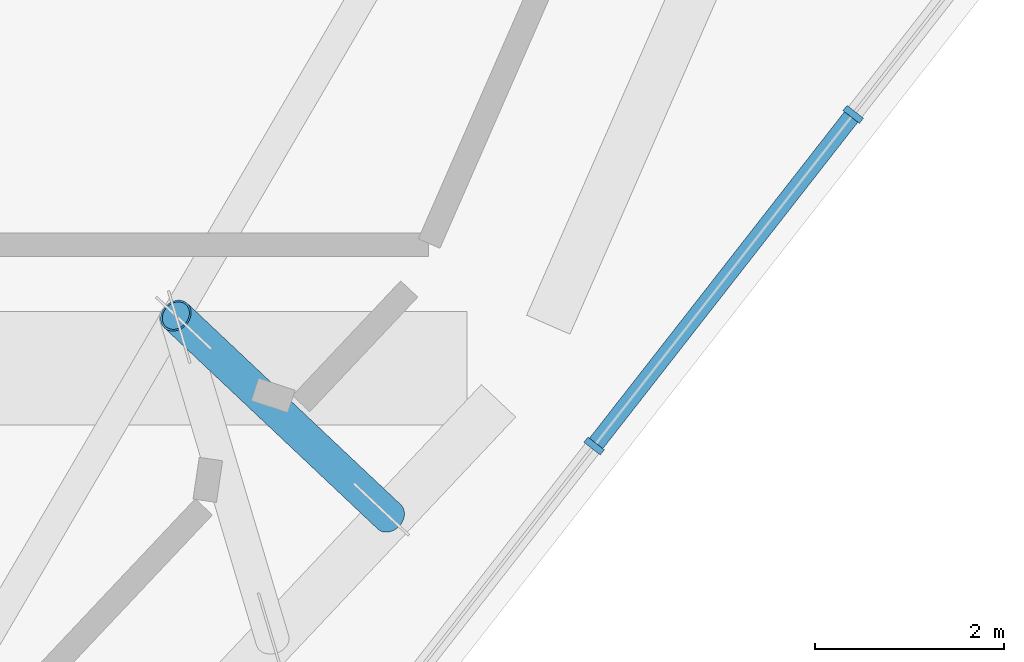
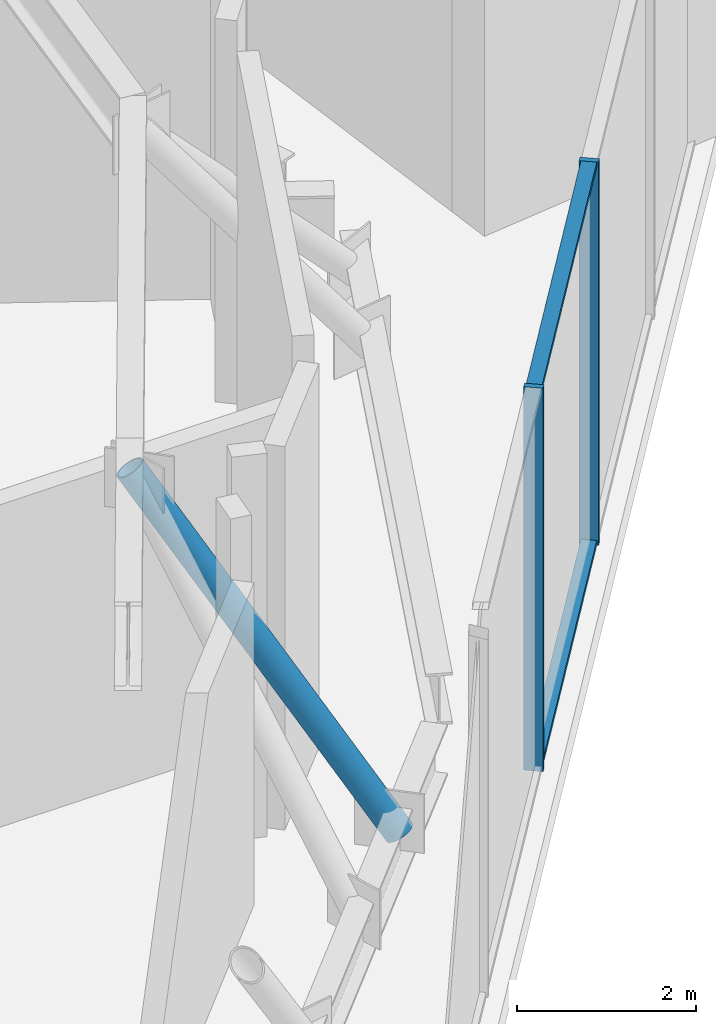
# One storey, part 4 of 23: 5 members, 1 element without a shape of its own.
"""IFC4 building model written with IfcOpenShell, lengths in metres."""

from ifc_helpers import new_model, si_unit, direction, frame, origin, origin_2d, place, context, subcontext, project, spatial, rectangle, hollow_circle, extrude, material, material_profile, profile_set, type_object, element, aggregate, save


model = new_model("IFC4")

# Units and contexts
model_context = context("Model", 3, precision=1e-05, world=origin(), true_north=direction((0.0, 1.0)))
body_context = subcontext(model_context, "Body", "Model", "MODEL_VIEW")
ifc_project = project(units=[si_unit("LENGTHUNIT", "METRE"), si_unit("AREAUNIT", "SQUARE_METRE"), si_unit("VOLUMEUNIT", "CUBIC_METRE"), si_unit("PLANEANGLEUNIT", "RADIAN"), si_unit("MASSUNIT", "GRAM", prefix="KILO")], contexts=[model_context])

# Site, building, storey
site_placement = place(None, origin())
site = spatial("IfcSite", under=ifc_project, at=site_placement, CompositionType="ELEMENT")
building_placement = place(site_placement, origin())
building = spatial("IfcBuilding", under=site, at=building_placement, Name="Dilmun Exchange Tower", CompositionType="ELEMENT")
storey_placement = place(building_placement, frame((0.0, 0.0, 237.300048828125)))
storey = spatial("IfcBuildingStorey", under=building, at=storey_placement, Name="L56", CompositionType="ELEMENT", Elevation=237.300048828125)

# Curtain wall, members
ifc_material_1 = material(Name="Anodised aluminium and clear glass", Category="aluminium")
curtain_wall_type = type_object("IfcCurtainWallType", Name="Sky lobby glazing", PredefinedType="NOTDEFINED", material=ifc_material_1)
curtain_wall_placement = place(storey_placement, origin())
curtain_wall = element("IfcCurtainWall", 1, at=curtain_wall_placement, inside=storey, type_object=curtain_wall_type, Name="Sky lobby glazing run SL12", PredefinedType="NOTDEFINED")
ifc_material_2 = material(Name="Anodised aluminium", Category="aluminium")
ifc_material_profile_1 = material_profile(ifc_material_2, rectangle(XDim=0.219970703125, YDim=0.070068359375, at=origin_2d()), Name="AL 70x220")
ifc_profile_set_1 = profile_set([ifc_material_profile_1], Name="Anodised aluminium")
member_type_1 = type_object("IfcMemberType", Name="Sky lobby glazing mullion 70 x 220", PredefinedType="MULLION", material=ifc_profile_set_1)
member_1_placement = place(storey_placement, frame((26.320068359375, -6.431396484375, 0.0), z_axis=(0.0, 0.0, 1.0), x_axis=(-0.78801066701, 0.615661586164, 0.0)))
member_1 = element("IfcMember", 2, at=member_1_placement, type_object=member_type_1, Name="SL12 mullion 9", PredefinedType="MULLION", context=body_context, shape_type="SweptSolid", body=[
    extrude(rectangle(XDim=0.219970703125, YDim=0.070068359375, at=origin_2d()), origin(), (0.0, 0.0, 1.0), 5.239990234375),
])
member_2_placement = place(storey_placement, frame((29.0625, -2.921142578125, 0.0), z_axis=(0.0, 0.0, 1.0), x_axis=(-0.78801066701, 0.615661586164, 0.0)))
member_2 = element("IfcMember", 3, at=member_2_placement, type_object=member_type_1, Name="SL12 mullion 10", PredefinedType="MULLION", context=body_context, shape_type="SweptSolid", body=[
    extrude(rectangle(XDim=0.219970703125, YDim=0.070068359375, at=origin_2d()), origin(), (0.0, 0.0, 1.0), 5.239990234375),
])
ifc_material_profile_2 = material_profile(ifc_material_2, rectangle(XDim=0.179931640625, YDim=0.070068359375, at=origin_2d()), Name="AL 70x180")
ifc_profile_set_2 = profile_set([ifc_material_profile_2], Name="Anodised aluminium")
member_type_2 = type_object("IfcMemberType", Name="Sky lobby glazing transom 70 x 180", PredefinedType="USERDEFINED", material=ifc_profile_set_2)
member_3_placement = place(storey_placement, frame((26.341796875, -6.40380859375, 0.034912109375), z_axis=(0.615635397336, 0.78803112727, 0.0), x_axis=(-0.78803112727, 0.615635397336, 0.0)))
member_3 = element("IfcMember", 4, at=member_3_placement, type_object=member_type_2, Name="SL12 transom 9.1", ObjectType="TRANSOM", PredefinedType="USERDEFINED", context=body_context, shape_type="SweptSolid", body=[
    extrude(rectangle(XDim=0.179931640625, YDim=0.070068359375, at=origin_2d()), origin(), (0.0, 0.0, 1.0), 4.384521484375),
])
member_4_placement = place(storey_placement, frame((26.341796875, -6.40380859375, 5.204833984375), z_axis=(0.615635397336, 0.78803112727, 0.0), x_axis=(-0.78803112727, 0.615635397336, 0.0)))
member_4 = element("IfcMember", 5, at=member_4_placement, type_object=member_type_2, Name="SL12 transom 9.2", ObjectType="TRANSOM", PredefinedType="USERDEFINED", context=body_context, shape_type="SweptSolid", body=[
    extrude(rectangle(XDim=0.179931640625, YDim=0.070068359375, at=origin_2d()), origin(), (0.0, 0.0, 1.0), 4.384521484375),
])
aggregate(curtain_wall, [member_1, member_2, member_3, member_4])

# Member
ifc_material_3 = material(Name="Steel S355", Category="steel")
ifc_material_profile_3 = material_profile(ifc_material_3, hollow_circle(Radius=0.177734375, WallThickness=0.02001953125, at=origin_2d()), Name="CHS 355.6x20")
ifc_profile_set_3 = profile_set([ifc_material_profile_3], Name="Steel S355")
member_type_3 = type_object("IfcMemberType", Name="truss diagonal CHS 355.6x20", PredefinedType="BRACE", material=ifc_profile_set_3)
member_5_placement = place(storey_placement, frame((21.89306640625, -5.051513671875, 4.8330078125), z_axis=(0.414206694006, -0.390431561099, -0.822189765649), x_axis=(0.685914112614, 0.727682506398, 0.0)))
element("IfcMember", 6, at=member_5_placement, inside=storey, type_object=member_type_3, Name="Truss diagonal 43", PredefinedType="BRACE", context=body_context, shape_type="SweptSolid", body=[
    extrude(hollow_circle(Radius=0.177734375, WallThickness=0.02001953125, at=origin_2d()), origin(), (0.0, 0.0, 1.0), 5.45263671875),
])

save(model, "model.ifc")
